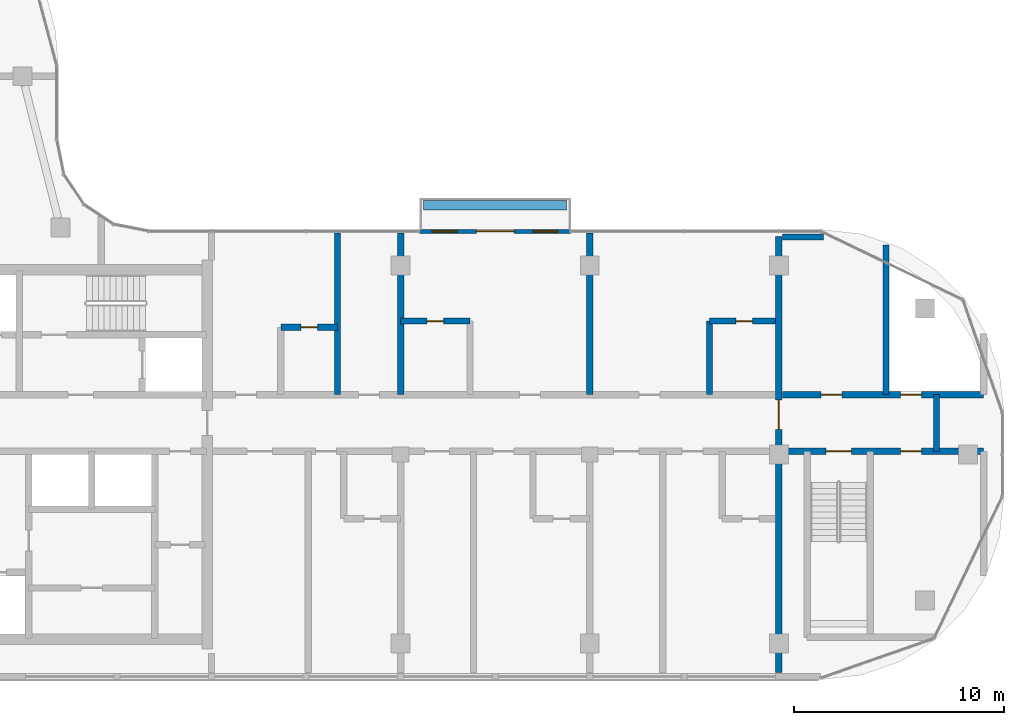
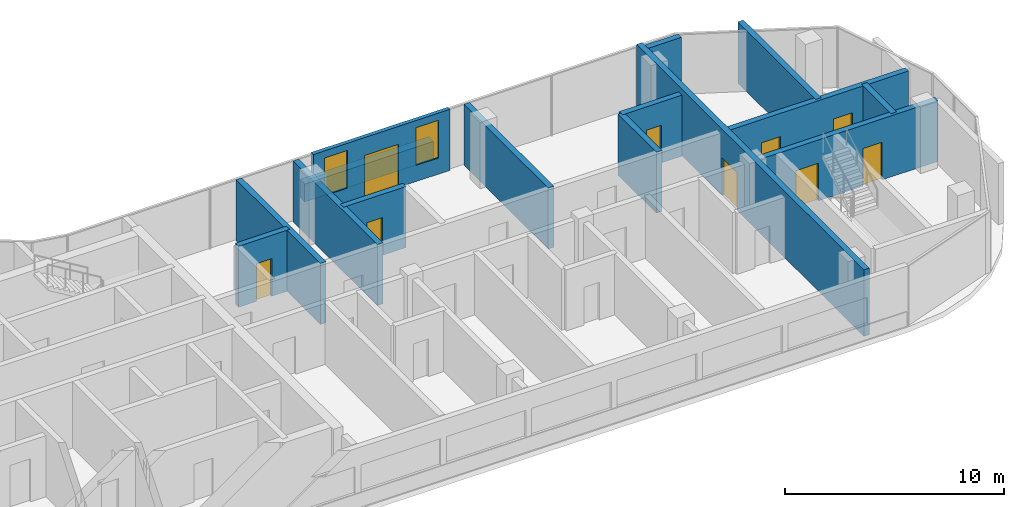
# One storey, part 12 of 19: 15 walls, 9 doors, 2 windows, 11 openings.
"""IFC4 building model written with IfcOpenShell, lengths in metres."""

import ifcopenshell
import ifcopenshell.guid

model = None  # the IFC model being written
_history = None  # IfcOwnerHistory: only IFC2X3 demands one
_inside = {}  # id of a spatial element -> (the spatial element, [elements in it])
_under = {}  # id of a project, library or spatial element -> (it, [spatial elements below it])
_declared = {}  # id of a project -> (the project, [libraries it declares])
_typed = {}  # id of a type object -> (the type object, [elements of that type])
_made_of = {}  # id of a material, layer set ... -> (it, [elements and type objects made of it])


def new_model(schema):
    """Start an empty IFC model of exactly this schema.

    Asked for "IFC4X3", IfcOpenShell would pick the latest addendum, in which some entities
    have other attributes; the version numbers below select the first issue.
    IFC2X3 requires an IfcOwnerHistory on every rooted entity: one is made here for all.
    """
    global model, _history
    if schema == "IFC4X3":
        model = ifcopenshell.file(schema_version=(4, 3, 0, 0))
    else:
        model = ifcopenshell.file(schema=schema)
    _inside.clear()
    _under.clear()
    _declared.clear()
    _typed.clear()
    _made_of.clear()
    _history = None
    if model.schema == "IFC2X3":
        org = make("IfcOrganization", Name="unknown")
        user = make(
            "IfcPersonAndOrganization",
            ThePerson=make("IfcPerson", FamilyName="unknown"),
            TheOrganization=org,
        )
        app = make(
            "IfcApplication",
            ApplicationDeveloper=org,
            Version="unknown",
            ApplicationFullName="unknown",
            ApplicationIdentifier="unknown",
        )
        _history = make(
            "IfcOwnerHistory",
            OwningUser=user,
            OwningApplication=app,
            ChangeAction="ADDED",
            CreationDate=0,
        )
    return model


def make(cls, **values):
    """One entity of the class cls with the attributes given. An attribute that is None is left unset."""
    return model.create_entity(
        cls, **{name: value for name, value in values.items() if value is not None}
    )


def rooted(cls, **values):
    """An entity with a GlobalId (a new one), such as an element, a storey or a relation."""
    return make(cls, GlobalId=ifcopenshell.guid.new(), OwnerHistory=_history, **values)


def si_unit(unit_type, name, prefix=None):
    """IfcSIUnit, for example si_unit("LENGTHUNIT", "METRE", prefix="MILLI")."""
    return make("IfcSIUnit", UnitType=unit_type, Prefix=prefix, Name=name)


def assignment(units):
    """IfcUnitAssignment: the units of a project."""
    return None if units is None else make("IfcUnitAssignment", Units=units)


def point(xyz):
    """IfcCartesianPoint."""
    return None if xyz is None else make("IfcCartesianPoint", Coordinates=xyz)


def direction(xyz):
    """IfcDirection."""
    return None if xyz is None else make("IfcDirection", DirectionRatios=xyz)


def frame(location, z_axis=None, x_axis=None):
    """IfcAxis2Placement3D, a coordinate frame: its origin and axes. An axis left out is left unset."""
    return make(
        "IfcAxis2Placement3D",
        Location=point(location),
        Axis=direction(z_axis),
        RefDirection=direction(x_axis),
    )


def frame_2d(location, x_axis=None):
    """IfcAxis2Placement2D, a coordinate frame in the plane: its origin and x axis."""
    return make(
        "IfcAxis2Placement2D", Location=point(location), RefDirection=direction(x_axis)
    )


def origin():
    """The frame at (0, 0, 0) with its axes left unset."""
    return frame((0.0, 0.0, 0.0))


def origin_2d():
    """The frame at (0, 0) in the plane with its x axis left unset."""
    return frame_2d((0.0, 0.0))


def place(relative_to, where):
    """IfcLocalPlacement: puts the frame where relative to a parent placement (None: the world)."""
    return make(
        "IfcLocalPlacement", PlacementRelTo=relative_to, RelativePlacement=where
    )


def context(
    kind, dimensions, precision=None, world=None, true_north=None, identifier=None
):
    """IfcGeometricRepresentationContext, for example the 3D "Model" context."""
    return make(
        "IfcGeometricRepresentationContext",
        ContextIdentifier=identifier,
        ContextType=kind,
        CoordinateSpaceDimension=dimensions,
        Precision=precision,
        WorldCoordinateSystem=world,
        TrueNorth=true_north,
    )


def subcontext(parent, identifier, kind, view, scale=None):
    """IfcGeometricRepresentationSubContext, for example "Body" below "Model"."""
    return make(
        "IfcGeometricRepresentationSubContext",
        ContextIdentifier=identifier,
        ContextType=kind,
        ParentContext=parent,
        TargetScale=scale,
        TargetView=view,
    )


def project(units=None, contexts=None):
    """IfcProject with its units and contexts."""
    return rooted(
        "IfcProject",
        Name="project",
        RepresentationContexts=contexts,
        UnitsInContext=assignment(units),
    )


def spatial(cls, under=None, at=None, **own):
    """A site, building, storey or space (cls), placed at a placement, below another one or the project."""
    s = rooted(cls, ObjectPlacement=at, **own)
    if under is not None:
        _under.setdefault(under.id(), (under, []))[1].append(s)
    return s


def profile(cls, at=None, kind="AREA", **sizes):
    """A parametric profile (cls). Its sizes go by their IFC names, for example OverallWidth=200.0."""
    return make(cls, ProfileType=kind, Position=at, **sizes)


def rectangle(**sizes):
    """IfcRectangleProfileDef."""
    return profile("IfcRectangleProfileDef", **sizes)


def extrude(swept, where, along, depth):
    """IfcExtrudedAreaSolid: the profile swept, set in the frame where, extruded along a direction by depth."""
    return make(
        "IfcExtrudedAreaSolid",
        SweptArea=swept,
        Position=where,
        ExtrudedDirection=direction(along),
        Depth=depth,
    )


def shape(context_of_items, identifier, shape_type, items):
    """IfcShapeRepresentation: the items that make up one representation, for example the "Body"."""
    return make(
        "IfcShapeRepresentation",
        ContextOfItems=context_of_items,
        RepresentationIdentifier=identifier,
        RepresentationType=shape_type,
        Items=items,
    )


def material(Name=None, Category=None):
    """IfcMaterial."""
    return make("IfcMaterial", Name=Name, Category=Category)


def layer(
    of_material, thickness, ventilated=None, Name=None, Category=None, Priority=None
):
    """IfcMaterialLayer: one layer of a wall or slab, of a material (None: an air gap)."""
    return make(
        "IfcMaterialLayer",
        Material=of_material,
        LayerThickness=thickness,
        IsVentilated=ventilated,
        Name=Name,
        Category=Category,
        Priority=Priority,
    )


def layer_set(layers, Name=None):
    """IfcMaterialLayerSet."""
    return make("IfcMaterialLayerSet", MaterialLayers=layers, LayerSetName=Name)


def made_of(thing, what):
    """Note that an element or type object is made of a material, layer set ...; save() writes the relation."""
    if what is not None:
        _made_of.setdefault(what.id(), (what, []))[1].append(thing)
    return thing


def type_object(cls, material=None, **own):
    """A type object (cls), such as IfcWallType, which elements share."""
    return made_of(rooted(cls, **own), material)


def element(
    cls,
    number,
    at=None,
    inside=None,
    cuts=None,
    type_object=None,
    material=None,
    context=None,
    identifier="Body",
    shape_type=None,
    held_by="IfcProductDefinitionShape",
    body=None,
    shapes=None,
    **own,
):
    """One element of the class cls, such as IfcWall. Its Tag is "e" and its number.

    at: its placement. inside: the storey or other place that contains it. cuts: it is an
    opening in that element (IfcRelVoidsElement). A single representation is given by context,
    identifier, shape_type and body (its items); several are given by shapes. held_by: the class
    of the entity that holds the representations. save() writes the other relations.
    """
    e = rooted(cls, Tag="e%d" % number, ObjectPlacement=at, **own)
    if body is not None:
        shapes = [shape(context, identifier, shape_type, body)]
    if shapes is not None:
        e.Representation = make(held_by, Representations=shapes)
    if inside is not None:
        _inside.setdefault(inside.id(), (inside, []))[1].append(e)
    if cuts is not None:
        rooted(
            "IfcRelVoidsElement", RelatingBuildingElement=cuts, RelatedOpeningElement=e
        )
    if type_object is not None:
        _typed.setdefault(type_object.id(), (type_object, []))[1].append(e)
    return made_of(e, material)


def fill(opening, filler):
    """IfcRelFillsElement: the door or window that sits in an opening."""
    return rooted(
        "IfcRelFillsElement",
        RelatingOpeningElement=opening,
        RelatedBuildingElement=filler,
    )


def aggregate(whole, parts):
    """IfcRelAggregates: a whole, such as a stair, and the parts it consists of."""
    return rooted("IfcRelAggregates", RelatingObject=whole, RelatedObjects=parts)


def save(model, path):
    """Write the relations noted so far, then the file.

    IfcRelAggregates (storeys below a building ...), IfcRelContainedInSpatialStructure (elements
    in a storey), IfcRelDefinesByType, IfcRelAssociatesMaterial and IfcRelDeclares: one each for
    every whole, place, type object, material and project.
    """
    for whole, parts in _under.values():
        aggregate(whole, parts)
    for where, things in _inside.values():
        rooted(
            "IfcRelContainedInSpatialStructure",
            RelatedElements=things,
            RelatingStructure=where,
        )
    for kind, things in _typed.values():
        rooted("IfcRelDefinesByType", RelatedObjects=things, RelatingType=kind)
    for what, things in _made_of.values():
        rooted("IfcRelAssociatesMaterial", RelatedObjects=things, RelatingMaterial=what)
    for by, libraries in _declared.values():
        rooted("IfcRelDeclares", RelatingContext=by, RelatedDefinitions=libraries)
    model.write(path)


model = new_model("IFC4")

# Units and contexts
model_context = context("Model", 3, precision=1e-05, world=origin(), true_north=direction((0.0, 1.0)))
body_context = subcontext(model_context, "Body", "Model", "MODEL_VIEW")
ifc_project = project(units=[si_unit("LENGTHUNIT", "METRE"), si_unit("AREAUNIT", "SQUARE_METRE"), si_unit("VOLUMEUNIT", "CUBIC_METRE"), si_unit("PLANEANGLEUNIT", "RADIAN"), si_unit("MASSUNIT", "GRAM", prefix="KILO")], contexts=[model_context])

# Site, building, storey
site_placement = place(None, origin())
site = spatial("IfcSite", under=ifc_project, at=site_placement, CompositionType="ELEMENT")
building_placement = place(site_placement, origin())
building = spatial("IfcBuilding", under=site, at=building_placement, Name="Ogive Portal Towers", CompositionType="ELEMENT")
storey_placement = place(building_placement, frame((0.0, 0.0, 199.5)))
storey = spatial("IfcBuildingStorey", under=building, at=storey_placement, Name="L49", CompositionType="ELEMENT", Elevation=199.5)

# Wall, openings, door, windows
ifc_material_1 = material(Name="Limestone cladding on lightweight block wall", Category="masonry")
ifc_layer_1 = layer(ifc_material_1, 0.199951171875)
ifc_layer_set_1 = layer_set([ifc_layer_1], Name="BALCONY BAY WALL 200")
wall_type_1 = type_object("IfcWallType", Name="BALCONY BAY WALL 200", PredefinedType="SOLIDWALL", material=ifc_layer_set_1)
wall_1_placement = place(storey_placement, frame((68.39990234375, 41.114990234375, 0.0), z_axis=(0.0, 0.0, 1.0), x_axis=(1.0, 0.0, 0.0)))
wall_1 = element("IfcWall", 1, at=wall_1_placement, inside=storey, type_object=wall_type_1, Name="A:L49:f13:bay0", PredefinedType="SOLIDWALL", context=body_context, shape_type="SweptSolid", body=[
    extrude(rectangle(XDim=7.2001953125, YDim=0.199951171875, at=frame_2d((3.60009765625, 0.0))), origin(), (0.0, 0.0, 1.0), 3.39990234375),
])
opening_1_placement = place(wall_1_placement, frame((2.699951171875, 0.0, 0.0)))
opening_1 = element("IfcOpeningElement", 2, at=opening_1_placement, cuts=wall_1, Name="Opening DX051", PredefinedType="OPENING", context=body_context, shape_type="SweptSolid", body=[
    extrude(rectangle(XDim=1.800048828125, YDim=2.39990234375, at=frame_2d((0.89990234375, 1.199951171875))), frame((0.0, 0.10986328125, 0.0), z_axis=(0.0, -1.0, 0.0), x_axis=(1.0, 0.0, 0.0)), (0.0, 0.0, 1.0), 0.219970703125),
])
opening_2_placement = place(wall_1_placement, frame((5.39990234375, 0.0, 0.89990234375)))
opening_2 = element("IfcOpeningElement", 3, at=opening_2_placement, cuts=wall_1, Name="Opening WN2", PredefinedType="OPENING", context=body_context, shape_type="SweptSolid", body=[
    extrude(rectangle(XDim=1.199951171875, YDim=2.10009765625, at=frame_2d((0.60009765625, 1.050048828125))), frame((0.0, 0.10986328125, 0.0), z_axis=(0.0, -1.0, 0.0), x_axis=(1.0, 0.0, 0.0)), (0.0, 0.0, 1.0), 0.219970703125),
])
opening_3_placement = place(wall_1_placement, frame((0.60009765625, 0.0, 0.89990234375)))
opening_3 = element("IfcOpeningElement", 4, at=opening_3_placement, cuts=wall_1, Name="Opening WN2", PredefinedType="OPENING", context=body_context, shape_type="SweptSolid", body=[
    extrude(rectangle(XDim=1.199951171875, YDim=2.10009765625, at=frame_2d((0.60009765625, 1.050048828125))), frame((0.0, 0.10986328125, 0.0), z_axis=(0.0, -1.0, 0.0), x_axis=(1.0, 0.0, 0.0)), (0.0, 0.0, 1.0), 0.219970703125),
])
ifc_material_2 = material(Name="Aluminium 6063 anodised", Category="aluminium")
door_type_1 = type_object("IfcDoorType", Name="BALCONY DOOR 1800x2400", OperationType="DOUBLE_DOOR_SINGLE_SWING", PredefinedType="DOOR", material=ifc_material_2)
door_1_placement = place(opening_1_placement, origin())
door_1 = element("IfcDoor", 5, at=door_1_placement, inside=storey, type_object=door_type_1, Name="A:L49:f13:bay0/o0", OperationType="SINGLE_SWING_LEFT", OverallHeight=2.39990234375, OverallWidth=1.800048828125, PredefinedType="DOOR", context=body_context, shape_type="SweptSolid", body=[
    extrude(rectangle(XDim=1.800048828125, YDim=2.39990234375, at=frame_2d((0.89990234375, 1.199951171875))), frame((0.0, 0.02490234375, 0.0), z_axis=(0.0, -1.0, 0.0), x_axis=(1.0, 0.0, 0.0)), (0.0, 0.0, 1.0), 0.050048828125),
])
fill(opening_1, door_1)
ifc_material_3 = material(Name="Glass, clear low-iron insulated glazing", Category="glass")
window_type = type_object("IfcWindowType", Name="WINDOW BALCONY BAY 1200x2100", PartitioningType="SINGLE_PANEL", PredefinedType="WINDOW", material=ifc_material_3)
window_1_placement = place(opening_2_placement, origin())
window_1 = element("IfcWindow", 6, at=window_1_placement, inside=storey, type_object=window_type, Name="A:L49:f13:bay0/o1", OverallHeight=2.10009765625, OverallWidth=1.199951171875, PartitioningType="SINGLE_PANEL", PredefinedType="WINDOW", context=body_context, shape_type="SweptSolid", body=[
    extrude(rectangle(XDim=1.199951171875, YDim=2.10009765625, at=frame_2d((0.60009765625, 1.050048828125))), frame((0.0, 0.030029296875, 0.0), z_axis=(0.0, -1.0, 0.0), x_axis=(1.0, 0.0, 0.0)), (0.0, 0.0, 1.0), 0.06005859375),
])
fill(opening_2, window_1)
window_2_placement = place(opening_3_placement, origin())
window_2 = element("IfcWindow", 7, at=window_2_placement, inside=storey, type_object=window_type, Name="A:L49:f13:bay0/o2", OverallHeight=2.10009765625, OverallWidth=1.199951171875, PartitioningType="SINGLE_PANEL", PredefinedType="WINDOW", context=body_context, shape_type="SweptSolid", body=[
    extrude(rectangle(XDim=1.199951171875, YDim=2.10009765625, at=frame_2d((0.60009765625, 1.050048828125))), frame((0.0, 0.030029296875, 0.0), z_axis=(0.0, -1.0, 0.0), x_axis=(1.0, 0.0, 0.0)), (0.0, 0.0, 1.0), 0.06005859375),
])
fill(opening_3, window_2)

# Wall
ifc_material_4 = material(Name="Concrete C40/50", Category="concrete")
ifc_layer_2 = layer(ifc_material_4, 0.449951171875)
ifc_layer_set_2 = layer_set([ifc_layer_2], Name="PLANTER WALL 450")
wall_type_2 = type_object("IfcWallType", Name="PLANTER WALL 450", PredefinedType="SOLIDWALL", material=ifc_layer_set_2)
wall_2_placement = place(storey_placement, frame((72.0, 42.3701171875, 0.0), z_axis=(0.0, 0.0, 1.0), x_axis=(1.0, 0.0, 0.0)))
element("IfcWall", 8, at=wall_2_placement, inside=storey, type_object=wall_type_2, Name="Planter T2", PredefinedType="SOLIDWALL", context=body_context, shape_type="SweptSolid", body=[
    extrude(rectangle(XDim=6.800048828125, YDim=0.449951171875, at=origin_2d()), origin(), (0.0, 0.0, 1.0), 1.0),
])

# Wall, opening, door
ifc_material_5 = material(Name="Concrete C60/75", Category="concrete")
ifc_layer_3 = layer(ifc_material_5, 0.300048828125)
ifc_layer_set_3 = layer_set([ifc_layer_3], Name="REVEAL WALL 300 C60")
wall_type_3 = type_object("IfcWallType", Name="REVEAL WALL 300 C60", PredefinedType="SHEAR", material=ifc_layer_set_3)
wall_3_placement = place(storey_placement, frame((85.5, 20.135009765625, 0.0), z_axis=(0.0, 0.0, 1.0), x_axis=(0.0, 1.0, 0.0)))
wall_3 = element("IfcWall", 9, at=wall_3_placement, inside=storey, type_object=wall_type_3, Name="Portal reveal wall L49", PredefinedType="SHEAR", context=body_context, shape_type="SweptSolid", body=[
    extrude(rectangle(XDim=20.72998046875, YDim=0.300048828125, at=frame_2d((10.364990234375, 0.0))), origin(), (0.0, 0.0, 1.0), 3.699951171875),
])
opening_4_placement = place(wall_3_placement, frame((11.56494140625, 0.0, 0.0)))
opening_4 = element("IfcOpeningElement", 10, at=opening_4_placement, cuts=wall_3, Name="Opening D22-057", PredefinedType="OPENING", context=body_context, shape_type="SweptSolid", body=[
    extrude(rectangle(XDim=1.39990234375, YDim=2.10009765625, at=frame_2d((0.699951171875, 1.050048828125))), frame((0.0, 0.16015625, 0.0), z_axis=(0.0, -1.0, 0.0), x_axis=(1.0, 0.0, 0.0)), (0.0, 0.0, 1.0), 0.320068359375),
])
ifc_material_6 = material(Name="Steel fire door", Category="steel")
door_type_2 = type_object("IfcDoorType", Name="DT-STAIR-1400x2100-FD90S", OperationType="SINGLE_SWING_LEFT", PredefinedType="DOOR", material=ifc_material_6)
door_2_placement = place(opening_4_placement, origin())
door_2 = element("IfcDoor", 11, at=door_2_placement, inside=storey, type_object=door_type_2, Name="Door D22-057", OperationType="SINGLE_SWING_RIGHT", OverallHeight=2.10009765625, OverallWidth=1.39990234375, PredefinedType="DOOR", context=body_context, shape_type="SweptSolid", body=[
    extrude(rectangle(XDim=1.39990234375, YDim=2.10009765625, at=frame_2d((0.699951171875, 1.050048828125))), frame((0.0, 0.02490234375, 0.0), z_axis=(0.0, -1.0, 0.0), x_axis=(1.0, 0.0, 0.0)), (0.0, 0.0, 1.0), 0.050048828125),
])
fill(opening_4, door_2)

# Wall, openings, doors
ifc_material_7 = material(Name="Concrete C50/60", Category="concrete")
ifc_layer_4 = layer(ifc_material_7, 0.300048828125)
ifc_layer_set_4 = layer_set([ifc_layer_4], Name="STAIR WALL 300 C50")
wall_type_4 = type_object("IfcWallType", Name="STAIR WALL 300 C50", PredefinedType="SHEAR", material=ifc_layer_set_4)
wall_4_placement = place(storey_placement, frame((85.669921875, 30.64990234375, 0.0), z_axis=(0.0, 0.0, 1.0), x_axis=(1.0, 0.0, 0.0)))
wall_4 = element("IfcWall", 12, at=wall_4_placement, inside=storey, type_object=wall_type_4, Name="Stair wall ST-A4 L49", PredefinedType="SHEAR", context=body_context, shape_type="SweptSolid", body=[
    extrude(rectangle(XDim=9.580078125, YDim=0.300048828125, at=frame_2d((4.7900390625, 0.0))), origin(), (0.0, 0.0, 1.0), 3.39990234375),
])
opening_5_placement = place(wall_4_placement, frame((2.080078125, 0.0, 0.0)))
opening_5 = element("IfcOpeningElement", 13, at=opening_5_placement, cuts=wall_4, Name="Opening D22-053", PredefinedType="OPENING", context=body_context, shape_type="SweptSolid", body=[
    extrude(rectangle(XDim=1.199951171875, YDim=2.10009765625, at=frame_2d((0.60009765625, 1.050048828125))), frame((0.0, 0.16015625, 0.0), z_axis=(0.0, -1.0, 0.0), x_axis=(1.0, 0.0, 0.0)), (0.0, 0.0, 1.0), 0.320068359375),
])
opening_6_placement = place(wall_4_placement, frame((5.6298828125, 0.0, 0.0)))
opening_6 = element("IfcOpeningElement", 14, at=opening_6_placement, cuts=wall_4, Name="Opening D22-056", PredefinedType="OPENING", context=body_context, shape_type="SweptSolid", body=[
    extrude(rectangle(XDim=1.0, YDim=2.10009765625, at=frame_2d((0.5, 1.050048828125))), frame((0.0, 0.16015625, 0.0), z_axis=(0.0, -1.0, 0.0), x_axis=(1.0, 0.0, 0.0)), (0.0, 0.0, 1.0), 0.320068359375),
])
door_type_3 = type_object("IfcDoorType", Name="DT-SERVICE-1000x2100-FD90S", OperationType="SINGLE_SWING_LEFT", PredefinedType="DOOR", material=ifc_material_6)
door_3_placement = place(opening_6_placement, origin())
door_3 = element("IfcDoor", 15, at=door_3_placement, inside=storey, type_object=door_type_3, Name="Door D22-056", OperationType="SINGLE_SWING_LEFT", OverallHeight=2.10009765625, OverallWidth=1.0, PredefinedType="DOOR", context=body_context, shape_type="SweptSolid", body=[
    extrude(rectangle(XDim=1.0, YDim=2.10009765625, at=frame_2d((0.5, 1.050048828125))), frame((0.0, 0.02490234375, 0.0), z_axis=(0.0, -1.0, 0.0), x_axis=(1.0, 0.0, 0.0)), (0.0, 0.0, 1.0), 0.050048828125),
])
fill(opening_6, door_3)
door_type_4 = type_object("IfcDoorType", Name="DT-STAIR-1200x2100-FD90S", OperationType="SINGLE_SWING_LEFT", PredefinedType="DOOR", material=ifc_material_6)
door_4_placement = place(opening_5_placement, origin())
door_4 = element("IfcDoor", 16, at=door_4_placement, inside=storey, type_object=door_type_4, Name="Door D22-053", OperationType="SINGLE_SWING_LEFT", OverallHeight=2.10009765625, OverallWidth=1.199951171875, PredefinedType="DOOR", context=body_context, shape_type="SweptSolid", body=[
    extrude(rectangle(XDim=1.199951171875, YDim=2.10009765625, at=frame_2d((0.60009765625, 1.050048828125))), frame((0.0, 0.02490234375, 0.0), z_axis=(0.0, -1.0, 0.0), x_axis=(1.0, 0.0, 0.0)), (0.0, 0.0, 1.0), 0.050048828125),
])
fill(opening_5, door_4)

ifc_material_8 = material(Name="Gypsum board partition on steel studs", Category="steel")
ifc_layer_5 = layer(ifc_material_8, 0.300048828125)
ifc_layer_set_5 = layer_set([ifc_layer_5], Name="WT-PART-300-EI 120")
wall_type_5 = type_object("IfcWallType", Name="WT-PART-300-EI 120", PredefinedType="PARTITIONING", material=ifc_layer_set_5)
wall_5_placement = place(storey_placement, frame((85.669921875, 33.35009765625, 0.0), z_axis=(0.0, 0.0, 1.0), x_axis=(1.0, 0.0, 0.0)))
wall_5 = element("IfcWall", 17, at=wall_5_placement, inside=storey, type_object=wall_type_5, Name="Wall L49:w008", PredefinedType="PARTITIONING", context=body_context, shape_type="SweptSolid", body=[
    extrude(rectangle(XDim=9.580078125, YDim=0.300048828125, at=frame_2d((4.7900390625, 0.0))), origin(), (0.0, 0.0, 1.0), 3.39990234375),
])
opening_7_placement = place(wall_5_placement, frame((1.830078125, 0.0, 0.0)))
opening_7 = element("IfcOpeningElement", 18, at=opening_7_placement, cuts=wall_5, Name="Opening D22-054", PredefinedType="OPENING", context=body_context, shape_type="SweptSolid", body=[
    extrude(rectangle(XDim=1.0, YDim=2.10009765625, at=frame_2d((0.5, 1.050048828125))), frame((0.0, 0.16015625, 0.0), z_axis=(0.0, -1.0, 0.0), x_axis=(1.0, 0.0, 0.0)), (0.0, 0.0, 1.0), 0.320068359375),
])
opening_8_placement = place(wall_5_placement, frame((5.6298828125, 0.0, 0.0)))
opening_8 = element("IfcOpeningElement", 19, at=opening_8_placement, cuts=wall_5, Name="Opening D22-055", PredefinedType="OPENING", context=body_context, shape_type="SweptSolid", body=[
    extrude(rectangle(XDim=1.0, YDim=2.10009765625, at=frame_2d((0.5, 1.050048828125))), frame((0.0, 0.16015625, 0.0), z_axis=(0.0, -1.0, 0.0), x_axis=(1.0, 0.0, 0.0)), (0.0, 0.0, 1.0), 0.320068359375),
])
door_5_placement = place(opening_7_placement, origin())
door_5 = element("IfcDoor", 20, at=door_5_placement, inside=storey, type_object=door_type_3, Name="Door D22-054", OperationType="SINGLE_SWING_LEFT", OverallHeight=2.10009765625, OverallWidth=1.0, PredefinedType="DOOR", context=body_context, shape_type="SweptSolid", body=[
    extrude(rectangle(XDim=1.0, YDim=2.10009765625, at=frame_2d((0.5, 1.050048828125))), frame((0.0, 0.02490234375, 0.0), z_axis=(0.0, -1.0, 0.0), x_axis=(1.0, 0.0, 0.0)), (0.0, 0.0, 1.0), 0.050048828125),
])
fill(opening_7, door_5)
door_6_placement = place(opening_8_placement, origin())
door_6 = element("IfcDoor", 21, at=door_6_placement, inside=storey, type_object=door_type_3, Name="Riser access door D22-055", OperationType="SINGLE_SWING_RIGHT", OverallHeight=2.10009765625, OverallWidth=1.0, PredefinedType="DOOR", context=body_context, shape_type="SweptSolid", body=[
    extrude(rectangle(XDim=1.0, YDim=2.10009765625, at=frame_2d((0.5, 1.050048828125))), frame((0.0, 0.02490234375, 0.0), z_axis=(0.0, -1.0, 0.0), x_axis=(1.0, 0.0, 0.0)), (0.0, 0.0, 1.0), 0.050048828125),
])
fill(opening_8, door_6)

# Wall
wall_6_placement = place(storey_placement, frame((93.0, 30.64990234375, 0.0), z_axis=(0.0, 0.0, 1.0), x_axis=(0.0, 1.0, 0.0)))
element("IfcWall", 22, at=wall_6_placement, inside=storey, type_object=wall_type_5, Name="Wall L49:w053", PredefinedType="PARTITIONING", context=body_context, shape_type="SweptSolid", body=[
    extrude(rectangle(XDim=2.7001953125, YDim=0.300048828125, at=frame_2d((1.35009765625, 0.0))), origin(), (0.0, 0.0, 1.0), 3.39990234375),
])

# Wall, opening, door
ifc_layer_6 = layer(ifc_material_8, 0.300048828125)
ifc_layer_set_6 = layer_set([ifc_layer_6], Name="WT-PART-300-EI 60")
wall_type_6 = type_object("IfcWallType", Name="WT-PART-300-EI 60", PredefinedType="PARTITIONING", material=ifc_layer_set_6)
wall_7_placement = place(storey_placement, frame((61.800048828125, 36.550048828125, 0.0), z_axis=(0.0, 0.0, 1.0), x_axis=(1.0, 0.0, 0.0)))
wall_7 = element("IfcWall", 23, at=wall_7_placement, inside=storey, type_object=wall_type_6, Name="Wall L49:w009", PredefinedType="PARTITIONING", context=body_context, shape_type="SweptSolid", body=[
    extrude(rectangle(XDim=2.699951171875, YDim=0.300048828125, at=frame_2d((1.35009765625, 0.0))), origin(), (0.0, 0.0, 1.0), 3.39990234375),
])
opening_9_placement = place(wall_7_placement, frame((0.949951171875, 0.0, 0.0)))
opening_9 = element("IfcOpeningElement", 24, at=opening_9_placement, cuts=wall_7, Name="Opening D22-026", PredefinedType="OPENING", context=body_context, shape_type="SweptSolid", body=[
    extrude(rectangle(XDim=0.800048828125, YDim=2.10009765625, at=frame_2d((0.39990234375, 1.050048828125))), frame((0.0, 0.16015625, 0.0), z_axis=(0.0, -1.0, 0.0), x_axis=(1.0, 0.0, 0.0)), (0.0, 0.0, 1.0), 0.320068359375),
])
door_type_5 = type_object("IfcDoorType", Name="DT-BATH-800x2100-FD60S", OperationType="SINGLE_SWING_LEFT", PredefinedType="DOOR", material=ifc_material_6)
door_7_placement = place(opening_9_placement, origin())
door_7 = element("IfcDoor", 25, at=door_7_placement, inside=storey, type_object=door_type_5, Name="Door D22-026", OperationType="SINGLE_SWING_LEFT", OverallHeight=2.10009765625, OverallWidth=0.800048828125, PredefinedType="DOOR", context=body_context, shape_type="SweptSolid", body=[
    extrude(rectangle(XDim=0.800048828125, YDim=2.10009765625, at=frame_2d((0.39990234375, 1.050048828125))), frame((0.0, 0.02490234375, 0.0), z_axis=(0.0, -1.0, 0.0), x_axis=(1.0, 0.0, 0.0)), (0.0, 0.0, 1.0), 0.050048828125),
])
fill(opening_9, door_7)

wall_8_placement = place(storey_placement, frame((67.5, 36.85009765625, 0.0), z_axis=(0.0, 0.0, 1.0), x_axis=(1.0, 0.0, 0.0)))
wall_8 = element("IfcWall", 26, at=wall_8_placement, inside=storey, type_object=wall_type_6, Name="Wall L49:w010", PredefinedType="PARTITIONING", context=body_context, shape_type="SweptSolid", body=[
    extrude(rectangle(XDim=3.300048828125, YDim=0.300048828125, at=frame_2d((1.64990234375, 0.0))), origin(), (0.0, 0.0, 1.0), 3.39990234375),
])
opening_10_placement = place(wall_8_placement, frame((1.25, 0.0, 0.0)))
opening_10 = element("IfcOpeningElement", 27, at=opening_10_placement, cuts=wall_8, Name="Opening D22-032", PredefinedType="OPENING", context=body_context, shape_type="SweptSolid", body=[
    extrude(rectangle(XDim=0.800048828125, YDim=2.10009765625, at=frame_2d((0.39990234375, 1.050048828125))), frame((0.0, 0.16015625, 0.0), z_axis=(0.0, -1.0, 0.0), x_axis=(1.0, 0.0, 0.0)), (0.0, 0.0, 1.0), 0.320068359375),
])
door_8_placement = place(opening_10_placement, origin())
door_8 = element("IfcDoor", 28, at=door_8_placement, inside=storey, type_object=door_type_5, Name="Door D22-032", OperationType="SINGLE_SWING_LEFT", OverallHeight=2.10009765625, OverallWidth=0.800048828125, PredefinedType="DOOR", context=body_context, shape_type="SweptSolid", body=[
    extrude(rectangle(XDim=0.800048828125, YDim=2.10009765625, at=frame_2d((0.39990234375, 1.050048828125))), frame((0.0, 0.02490234375, 0.0), z_axis=(0.0, -1.0, 0.0), x_axis=(1.0, 0.0, 0.0)), (0.0, 0.0, 1.0), 0.050048828125),
])
fill(opening_10, door_8)

wall_9_placement = place(storey_placement, frame((82.199951171875, 36.85009765625, 0.0), z_axis=(0.0, 0.0, 1.0), x_axis=(1.0, 0.0, 0.0)))
wall_9 = element("IfcWall", 29, at=wall_9_placement, inside=storey, type_object=wall_type_6, Name="Wall L49:w011", PredefinedType="PARTITIONING", context=body_context, shape_type="SweptSolid", body=[
    extrude(rectangle(XDim=3.130126953125, YDim=0.300048828125, at=frame_2d((1.56494140625, 0.0))), origin(), (0.0, 0.0, 1.0), 3.39990234375),
])
opening_11_placement = place(wall_9_placement, frame((1.25, 0.0, 0.0)))
opening_11 = element("IfcOpeningElement", 30, at=opening_11_placement, cuts=wall_9, Name="Opening D22-037", PredefinedType="OPENING", context=body_context, shape_type="SweptSolid", body=[
    extrude(rectangle(XDim=0.800048828125, YDim=2.10009765625, at=frame_2d((0.39990234375, 1.050048828125))), frame((0.0, 0.16015625, 0.0), z_axis=(0.0, -1.0, 0.0), x_axis=(1.0, 0.0, 0.0)), (0.0, 0.0, 1.0), 0.320068359375),
])
door_9_placement = place(opening_11_placement, origin())
door_9 = element("IfcDoor", 31, at=door_9_placement, inside=storey, type_object=door_type_5, Name="Door D22-037", OperationType="SINGLE_SWING_LEFT", OverallHeight=2.10009765625, OverallWidth=0.800048828125, PredefinedType="DOOR", context=body_context, shape_type="SweptSolid", body=[
    extrude(rectangle(XDim=0.800048828125, YDim=2.10009765625, at=frame_2d((0.39990234375, 1.050048828125))), frame((0.0, 0.02490234375, 0.0), z_axis=(0.0, -1.0, 0.0), x_axis=(1.0, 0.0, 0.0)), (0.0, 0.0, 1.0), 0.050048828125),
])
fill(opening_11, door_9)

# Walls
wall_10_placement = place(storey_placement, frame((85.669921875, 40.85009765625, 0.0), z_axis=(0.0, 0.0, 1.0), x_axis=(1.0, 0.0, 0.0)))
element("IfcWall", 32, at=wall_10_placement, inside=storey, type_object=wall_type_6, Name="Wall L49:w013", PredefinedType="PARTITIONING", context=body_context, shape_type="SweptSolid", body=[
    extrude(rectangle(XDim=1.943115234375, YDim=0.300048828125, at=frame_2d((0.9716796875, 0.0))), origin(), (0.0, 0.0, 1.0), 3.39990234375),
])
for number, where, z_axis, x_axis, name in (
    (33, (64.5, 33.35009765625, 0.0), (0.0, 0.0, 1.0), (0.0, 1.0, 0.0), "Wall L49:w038"),
    (34, (67.5, 33.35009765625, 0.0), (0.0, 0.0, 1.0), (0.0, 1.0, 0.0), "Wall L49:w041"),
    (35, (76.5, 33.35009765625, 0.0), (0.0, 0.0, 1.0), (0.0, 1.0, 0.0), "Wall L49:w046"),
):
    element("IfcWall", number, at=place(storey_placement, frame(where, z_axis=z_axis, x_axis=x_axis)), inside=storey, type_object=wall_type_6, Name=name, PredefinedType="PARTITIONING", context=body_context, shape_type="SweptSolid", body=[
        extrude(rectangle(XDim=7.69482421875, YDim=0.300048828125, at=frame_2d((3.847412109375, 0.0))), origin(), (0.0, 0.0, 1.0), 3.39990234375),
    ])
wall_11_placement = place(storey_placement, frame((82.199951171875, 33.35009765625, 0.0), z_axis=(0.0, 0.0, 1.0), x_axis=(0.0, 1.0, 0.0)))
element("IfcWall", 36, at=wall_11_placement, inside=storey, type_object=wall_type_6, Name="Wall L49:w048", PredefinedType="PARTITIONING", context=body_context, shape_type="SweptSolid", body=[
    extrude(rectangle(XDim=3.5, YDim=0.300048828125, at=frame_2d((1.75, 0.0))), origin(), (0.0, 0.0, 1.0), 3.39990234375),
])
wall_12_placement = place(storey_placement, frame((90.60009765625, 33.35009765625, 0.0), z_axis=(0.0, 0.0, 1.0), x_axis=(0.0, 1.0, 0.0)))
element("IfcWall", 37, at=wall_12_placement, inside=storey, type_object=wall_type_6, Name="Wall L49:w052", PredefinedType="PARTITIONING", context=body_context, shape_type="SweptSolid", body=[
    extrude(rectangle(XDim=7.1240234375, YDim=0.300048828125, at=frame_2d((3.56201171875, 0.0))), origin(), (0.0, 0.0, 1.0), 3.39990234375),
])

save(model, "model.ifc")
